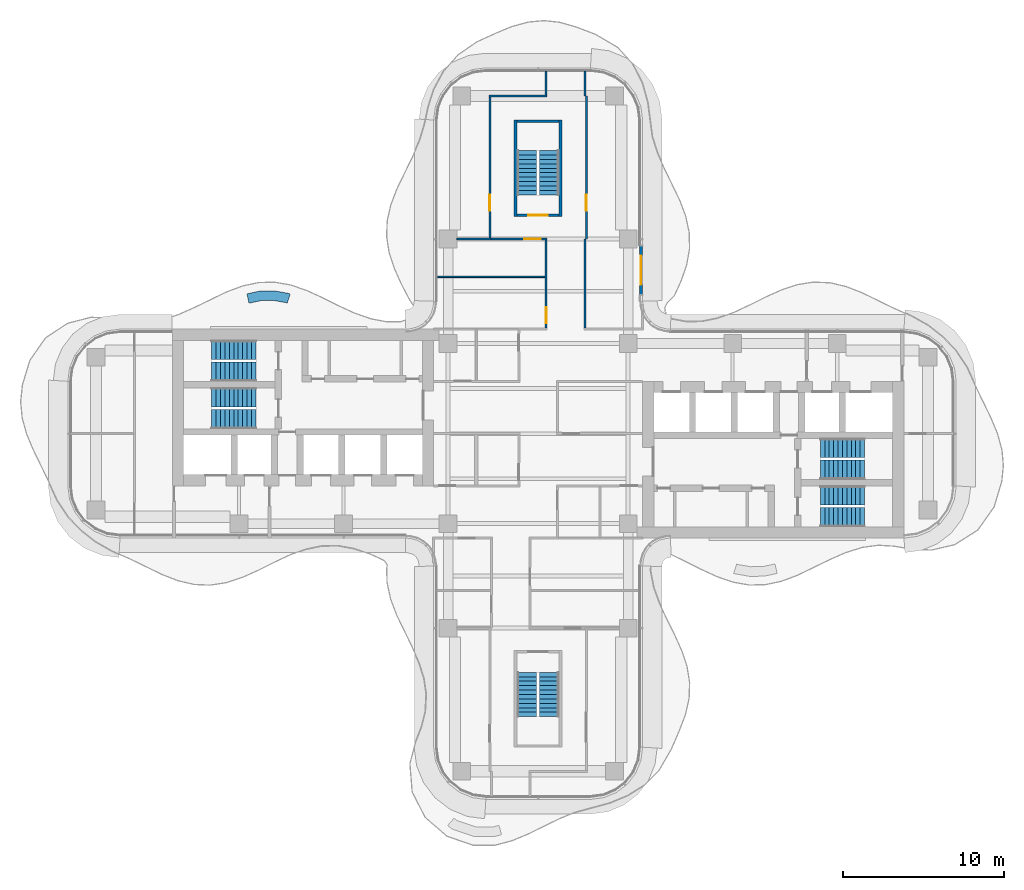
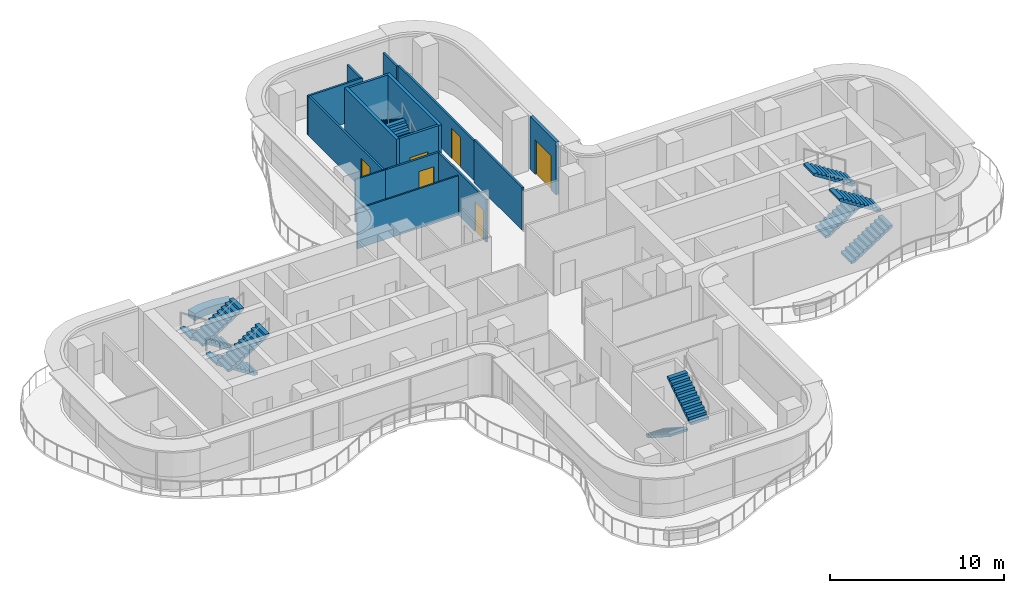
# One storey, part 14 of 16: 16 walls, 12 stair flights, 6 doors, 6 openings, 6 elements without a shape of their own.
"""IFC4 building model written with IfcOpenShell, lengths in metres."""

from ifc_helpers import new_model, si_unit, direction, frame, frame_2d, origin, place, context, subcontext, project, spatial, polyline, rectangle, outline, extrude, source, transform, mapped, material, layer, layer_set, type_object, element, fill, aggregate, save


model = new_model("IFC4")

# Units and contexts
model_context = context("Model", 3, precision=1e-05, world=origin(), true_north=direction((0.0, 1.0)))
body_context = subcontext(model_context, "Body", "Model", "MODEL_VIEW")
ifc_project = project(units=[si_unit("LENGTHUNIT", "METRE"), si_unit("AREAUNIT", "SQUARE_METRE"), si_unit("VOLUMEUNIT", "CUBIC_METRE"), si_unit("PLANEANGLEUNIT", "RADIAN"), si_unit("MASSUNIT", "GRAM", prefix="KILO")], contexts=[model_context])

# Site, building, storey
site_placement = place(None, origin())
site = spatial("IfcSite", under=ifc_project, at=site_placement, CompositionType="ELEMENT")
building_placement = place(site_placement, origin())
building = spatial("IfcBuilding", under=site, at=building_placement, Name="Trellis Farm Tower", CompositionType="ELEMENT")
storey_placement = place(building_placement, frame((0.0, 0.0, 255.800048828125)))
storey = spatial("IfcBuildingStorey", under=building, at=storey_placement, Name="L57", CompositionType="ELEMENT", Elevation=255.800048828125)

# Walls
ifc_material_1 = material(Name="Sandstone faced masonry planter", Category="masonry")
ifc_layer_1 = layer(ifc_material_1, 0.60009765625)
ifc_layer_set_1 = layer_set([ifc_layer_1], Name="PLANTER BED 600")
wall_type_1 = type_object("IfcWallType", Name="PLANTER BED 600", PredefinedType="USERDEFINED", material=ifc_layer_set_1)
placement = place(storey_placement, origin())
element("IfcWall", 1, at=placement, inside=storey, type_object=wall_type_1, Name="PLANTER bed", ObjectType="PLANTER", PredefinedType="USERDEFINED", context=body_context, shape_type="SweptSolid", body=[
    extrude(outline(polyline([(-16.429443359375, 8.882080078125), (-15.5322265625, 8.725830078125), (-15.40966796875, 8.683837890625), (-15.60400390625, 8.1162109375), (-15.681884765625, 8.142822265625), (-16.474853515625, 8.28076171875), (-17.250244140625, 8.263916015625), (-17.98291015625, 8.106689453125), (-18.10888671875, 8.693359375), (-17.3203125, 8.862548828125), (-16.429443359375, 8.882080078125)])), origin(), (0.0, 0.0, 1.0), 0.5),
])
ifc_material_2 = material(Name="Concrete C60/75", Category="concrete")
ifc_layer_2 = layer(ifc_material_2, 0.199951171875)
ifc_layer_set_2 = layer_set([ifc_layer_2], Name="CORE STAIR ENCLOSURE WALL 200 CONCRETE C60/75")
wall_type_2 = type_object("IfcWallType", Name="CORE STAIR ENCLOSURE WALL 200 CONCRETE C60/75", PredefinedType="SHEAR", material=ifc_layer_set_2)
shared_shape_1 = source(origin(), body_context, "Body", "SweptSolid", [
    extrude(rectangle(XDim=6.0, YDim=0.199951171875, at=frame_2d((3.0, 0.0))), origin(), (0.0, 0.0, 1.0), 3.699951171875),
])
for number, where, z_axis, x_axis, name in (
    (2, (-1.39990234375, 13.5, 0.0), (0.0, 0.0, 1.0), (0.0, 1.0, 0.0), "Stair enclosure wall"),
    (3, (1.39990234375, 13.5, 0.0), (0.0, 0.0, 1.0), (0.0, 1.0, 0.0), "Stair enclosure wall"),
):
    element("IfcWall", number, at=place(storey_placement, frame(where, z_axis=z_axis, x_axis=x_axis)), inside=storey, type_object=wall_type_2, Name=name, PredefinedType="SHEAR", context=body_context, shape_type="MappedRepresentation", body=[
        mapped(shared_shape_1, transform((0.0, 0.0, 0.0))),
    ])

# Wall, opening, door
ifc_layer_3 = layer(ifc_material_2, 0.14990234375)
ifc_layer_set_3 = layer_set([ifc_layer_3], Name="CORE STAIR ENCLOSURE WALL 150 CONCRETE C60/75")
wall_type_3 = type_object("IfcWallType", Name="CORE STAIR ENCLOSURE WALL 150 CONCRETE C60/75", PredefinedType="SHEAR", material=ifc_layer_set_3)
shared_shape_2 = source(origin(), body_context, "Body", "SweptSolid", [
    extrude(rectangle(XDim=2.60009765625, YDim=0.14990234375, at=frame_2d((1.300048828125, 0.0))), origin(), (0.0, 0.0, 1.0), 3.699951171875),
])
wall_2_placement = place(storey_placement, frame((-1.300048828125, 13.574951171875, 0.0), z_axis=(0.0, 0.0, 1.0), x_axis=(1.0, 0.0, 0.0)))
wall_2 = element("IfcWall", 4, at=wall_2_placement, inside=storey, type_object=wall_type_3, Name="Stair enclosure wall", PredefinedType="SHEAR", context=body_context, shape_type="MappedRepresentation", body=[
    mapped(shared_shape_2, transform((0.0, 0.0, 0.0))),
])
shared_shape_3 = source(origin(), body_context, "Body", "SweptSolid", [
    extrude(rectangle(XDim=1.199951171875, YDim=2.10009765625, at=frame_2d((0.60009765625, 1.050048828125))), frame((0.0, 0.0849609375, 0.0), z_axis=(0.0, -1.0, 0.0), x_axis=(1.0, 0.0, 0.0)), (0.0, 0.0, 1.0), 0.169921875),
])
opening_1_placement = place(wall_2_placement, frame((0.699951171875, 0.0, 0.0)))
opening_1 = element("IfcOpeningElement", 5, at=opening_1_placement, cuts=wall_2, Name="Opening DC173", PredefinedType="OPENING", context=body_context, shape_type="MappedRepresentation", body=[
    mapped(shared_shape_3, transform((0.0, 0.0, 0.0))),
])
ifc_material_3 = material(Name="Steel", Category="steel")
door_type_1 = type_object("IfcDoorType", Name="CORE FIRE DOOR 1200 X 2100", OperationType="NOTDEFINED", PredefinedType="DOOR", material=ifc_material_3)
shared_shape_4 = source(origin(), body_context, "Body", "SweptSolid", [
    extrude(rectangle(XDim=1.199951171875, YDim=2.10009765625, at=frame_2d((0.60009765625, 1.050048828125))), frame((0.0, 0.02490234375, 0.0), z_axis=(0.0, -1.0, 0.0), x_axis=(1.0, 0.0, 0.0)), (0.0, 0.0, 1.0), 0.050048828125),
])
door_1_placement = place(opening_1_placement, origin())
door_1 = element("IfcDoor", 6, at=door_1_placement, inside=storey, type_object=door_type_1, Name="Core door", OperationType="SINGLE_SWING_LEFT", OverallHeight=2.10009765625, OverallWidth=1.199951171875, PredefinedType="DOOR", context=body_context, shape_type="MappedRepresentation", body=[
    mapped(shared_shape_4, transform((0.0, 0.0, 0.0))),
])
fill(opening_1, door_1)

# Wall
wall_3_placement = place(storey_placement, frame((-1.300048828125, 19.425048828125, 0.0), z_axis=(0.0, 0.0, 1.0), x_axis=(1.0, 0.0, 0.0)))
element("IfcWall", 7, at=wall_3_placement, inside=storey, type_object=wall_type_3, Name="Stair enclosure wall", PredefinedType="SHEAR", context=body_context, shape_type="MappedRepresentation", body=[
    mapped(shared_shape_2, transform((0.0, 0.0, 0.0))),
])

# Wall, opening, door
ifc_material_4 = material(Name="Sandstone faced insulated wall", Category="masonry")
ifc_layer_4 = layer(ifc_material_4, 0.199951171875)
ifc_layer_set_4 = layer_set([ifc_layer_4], Name="EXTERNAL INFILL WALL 200")
wall_type_4 = type_object("IfcWallType", Name="EXTERNAL INFILL WALL 200", PredefinedType="SOLIDWALL", material=ifc_layer_set_4)
shared_shape_5 = source(origin(), body_context, "Body", "SweptSolid", [
    extrude(rectangle(XDim=3.0, YDim=0.199951171875, at=frame_2d((1.5, 0.0))), origin(), (0.0, 0.0, 1.0), 3.699951171875),
])
wall_4_placement = place(storey_placement, frame((6.39990234375, 8.665771484375, 0.0), z_axis=(0.0, 0.0, 1.0), x_axis=(0.0, 1.0, 0.0)))
wall_4 = element("IfcWall", 8, at=wall_4_placement, inside=storey, type_object=wall_type_4, Name="EW1 01", PredefinedType="SOLIDWALL", context=body_context, shape_type="MappedRepresentation", body=[
    mapped(shared_shape_5, transform((0.0, 0.0, 0.0))),
])
shared_shape_6 = source(origin(), body_context, "Body", "SweptSolid", [
    extrude(rectangle(XDim=1.800048828125, YDim=2.39990234375, at=frame_2d((0.89990234375, 1.199951171875))), frame((0.0, 0.110107421875, 0.0), z_axis=(0.0, -1.0, 0.0), x_axis=(1.0, 0.0, 0.0)), (0.0, 0.0, 1.0), 0.22021484375),
])
opening_2_placement = place(wall_4_placement, frame((0.60009765625, 0.0, 0.0)))
opening_2 = element("IfcOpeningElement", 9, at=opening_2_placement, cuts=wall_4, Name="Opening ED1", PredefinedType="OPENING", context=body_context, shape_type="MappedRepresentation", body=[
    mapped(shared_shape_6, transform((0.0, 0.0, 0.0))),
])
ifc_material_5 = material(Name="Aluminium framed glazed door", Category="aluminium")
door_type_2 = type_object("IfcDoorType", Name="BALCONY DOOR 1800x2400", OperationType="DOUBLE_DOOR_SINGLE_SWING", PredefinedType="DOOR", material=ifc_material_5)
shared_shape_7 = source(origin(), body_context, "Body", "SweptSolid", [
    extrude(rectangle(XDim=1.800048828125, YDim=2.39990234375, at=frame_2d((0.89990234375, 1.199951171875))), frame((0.0, 0.02490234375, 0.0), z_axis=(0.0, -1.0, 0.0), x_axis=(1.0, 0.0, 0.0)), (0.0, 0.0, 1.0), 0.050048828125),
])
door_2_placement = place(opening_2_placement, origin())
door_2 = element("IfcDoor", 10, at=door_2_placement, inside=storey, type_object=door_type_2, Name="Balcony door", OperationType="DOUBLE_DOOR_SINGLE_SWING", OverallHeight=2.39990234375, OverallWidth=1.800048828125, PredefinedType="DOOR", context=body_context, shape_type="MappedRepresentation", body=[
    mapped(shared_shape_7, transform((0.0, 0.0, 0.0))),
])
fill(opening_2, door_2)

ifc_material_6 = material(Name="Plasterboard on steel studs, mineral wool", Category="steel")
ifc_layer_5 = layer(ifc_material_6, 0.125)
ifc_layer_set_5 = layer_set([ifc_layer_5], Name="PARTITION 125 STUD EI 60")
wall_type_5 = type_object("IfcWallType", Name="PARTITION 125 STUD EI 60", PredefinedType="PARTITIONING", material=ifc_layer_set_5)
shared_shape_8 = source(origin(), body_context, "Body", "SweptSolid", [
    extrude(rectangle(XDim=5.47509765625, YDim=0.125, at=frame_2d((2.737548828125, 0.0))), origin(), (0.0, 0.0, 1.0), 2.99658203125),
])
wall_5_placement = place(storey_placement, frame((0.5, 12.03759765625, 0.0), z_axis=(0.0, 0.0, 1.0), x_axis=(0.0, -1.0, 0.0)))
wall_5 = element("IfcWall", 11, at=wall_5_placement, inside=storey, type_object=wall_type_5, Name="Partition PW1", PredefinedType="PARTITIONING", context=body_context, shape_type="MappedRepresentation", body=[
    mapped(shared_shape_8, transform((0.0, 0.0, 0.0))),
])
shared_shape_9 = source(origin(), body_context, "Body", "SweptSolid", [
    extrude(rectangle(XDim=1.0, YDim=2.10009765625, at=frame_2d((0.5, 1.050048828125))), frame((0.0, 0.072509765625, 0.0), z_axis=(0.0, -1.0, 0.0), x_axis=(1.0, 0.0, 0.0)), (0.0, 0.0, 1.0), 0.14501953125),
])
opening_3_placement = place(wall_5_placement, frame((4.1875, 0.0, 0.0)))
opening_3 = element("IfcOpeningElement", 12, at=opening_3_placement, cuts=wall_5, Name="Opening D113", PredefinedType="OPENING", context=body_context, shape_type="MappedRepresentation", body=[
    mapped(shared_shape_9, transform((0.0, 0.0, 0.0))),
])
ifc_material_7 = material(Name="Fire-rated timber door leaf in a hollow metal frame", Category="wood")
door_type_3 = type_object("IfcDoorType", Name="DOOR 1000x2100 FD30S", OperationType="NOTDEFINED", PredefinedType="DOOR", material=ifc_material_7)
shared_shape_10 = source(origin(), body_context, "Body", "SweptSolid", [
    extrude(rectangle(XDim=1.0, YDim=2.10009765625, at=frame_2d((0.5, 1.050048828125))), frame((0.0, 0.02490234375, 0.0), z_axis=(0.0, -1.0, 0.0), x_axis=(1.0, 0.0, 0.0)), (0.0, 0.0, 1.0), 0.050048828125),
])
door_3_placement = place(opening_3_placement, origin())
door_3 = element("IfcDoor", 13, at=door_3_placement, inside=storey, type_object=door_type_3, Name="Door D113", OperationType="SINGLE_SWING_RIGHT", OverallHeight=2.10009765625, OverallWidth=1.0, PredefinedType="DOOR", context=body_context, shape_type="MappedRepresentation", body=[
    mapped(shared_shape_10, transform((0.0, 0.0, 0.0))),
])
fill(opening_3, door_3)

# Wall
shared_shape_11 = source(origin(), body_context, "Body", "SweptSolid", [
    extrude(rectangle(XDim=5.53759765625, YDim=0.125, at=frame_2d((2.768798828125, 0.0))), origin(), (0.0, 0.0, 1.0), 2.99658203125),
])
wall_6_placement = place(storey_placement, frame((2.89990234375, 12.10009765625, 0.0), z_axis=(0.0, 0.0, 1.0), x_axis=(0.0, -1.0, 0.0)))
element("IfcWall", 14, at=wall_6_placement, inside=storey, type_object=wall_type_5, Name="Partition PW1", PredefinedType="PARTITIONING", context=body_context, shape_type="MappedRepresentation", body=[
    mapped(shared_shape_11, transform((0.0, 0.0, 0.0))),
])

# Wall, opening, door
shared_shape_12 = source(origin(), body_context, "Body", "SweptSolid", [
    extrude(rectangle(XDim=3.625, YDim=0.125, at=frame_2d((1.8125, 0.0))), origin(), (0.0, 0.0, 1.0), 2.99658203125),
])
wall_7_placement = place(storey_placement, frame((0.5625, 12.10009765625, 0.0), z_axis=(0.0, 0.0, 1.0), x_axis=(-1.0, 0.0, 0.0)))
wall_7 = element("IfcWall", 15, at=wall_7_placement, inside=storey, type_object=wall_type_5, Name="Partition PW1", PredefinedType="PARTITIONING", context=body_context, shape_type="MappedRepresentation", body=[
    mapped(shared_shape_12, transform((0.0, 0.0, 0.0))),
])
opening_4_placement = place(wall_7_placement, frame((0.41259765625, 0.0, 0.0)))
opening_4 = element("IfcOpeningElement", 16, at=opening_4_placement, cuts=wall_7, Name="Opening D114", PredefinedType="OPENING", context=body_context, shape_type="MappedRepresentation", body=[
    mapped(shared_shape_9, transform((0.0, 0.0, 0.0))),
])
door_4_placement = place(opening_4_placement, origin())
door_4 = element("IfcDoor", 17, at=door_4_placement, inside=storey, type_object=door_type_3, Name="Door D114", OperationType="SINGLE_SWING_LEFT", OverallHeight=2.10009765625, OverallWidth=1.0, PredefinedType="DOOR", context=body_context, shape_type="MappedRepresentation", body=[
    mapped(shared_shape_10, transform((0.0, 0.0, 0.0))),
])
fill(opening_4, door_4)

# Walls
shared_shape_13 = source(origin(), body_context, "Body", "SweptSolid", [
    extrude(rectangle(XDim=1.487548828125, YDim=0.125, at=frame_2d((0.74365234375, 0.0))), origin(), (0.0, 0.0, 1.0), 2.780029296875),
])
wall_8_placement = place(storey_placement, frame((0.5, 22.550048828125, 0.0), z_axis=(0.0, 0.0, 1.0), x_axis=(0.0, -1.0, 0.0)))
element("IfcWall", 18, at=wall_8_placement, inside=storey, type_object=wall_type_5, Name="Partition PW1", PredefinedType="PARTITIONING", context=body_context, shape_type="MappedRepresentation", body=[
    mapped(shared_shape_13, transform((0.0, 0.0, 0.0))),
])
shared_shape_14 = source(origin(), body_context, "Body", "SweptSolid", [
    extrude(rectangle(XDim=1.550048828125, YDim=0.125, at=frame_2d((0.77490234375, 0.0))), origin(), (0.0, 0.0, 1.0), 2.780029296875),
])
wall_9_placement = place(storey_placement, frame((2.89990234375, 22.550048828125, 0.0), z_axis=(0.0, 0.0, 1.0), x_axis=(0.0, -1.0, 0.0)))
element("IfcWall", 19, at=wall_9_placement, inside=storey, type_object=wall_type_5, Name="Partition PW1", PredefinedType="PARTITIONING", context=body_context, shape_type="MappedRepresentation", body=[
    mapped(shared_shape_14, transform((0.0, 0.0, 0.0))),
])

# Wall, opening, door
shared_shape_15 = source(origin(), body_context, "Body", "SweptSolid", [
    extrude(rectangle(XDim=8.89990234375, YDim=0.125, at=frame_2d((4.449951171875, 0.0))), origin(), (0.0, 0.0, 1.0), 2.780029296875),
])
wall_10_placement = place(storey_placement, frame((3.0, 21.0, 0.0), z_axis=(0.0, 0.0, 1.0), x_axis=(0.0, -1.0, 0.0)))
wall_10 = element("IfcWall", 20, at=wall_10_placement, inside=storey, type_object=wall_type_5, Name="Partition PW1", PredefinedType="PARTITIONING", context=body_context, shape_type="MappedRepresentation", body=[
    mapped(shared_shape_15, transform((0.0, 0.0, 0.0))),
])
opening_5_placement = place(wall_10_placement, frame((6.14990234375, 0.0, 0.0)))
opening_5 = element("IfcOpeningElement", 21, at=opening_5_placement, cuts=wall_10, Name="Opening D116", PredefinedType="OPENING", context=body_context, shape_type="MappedRepresentation", body=[
    mapped(shared_shape_9, transform((0.0, 0.0, 0.0))),
])
door_5_placement = place(opening_5_placement, origin())
door_5 = element("IfcDoor", 22, at=door_5_placement, inside=storey, type_object=door_type_3, Name="Door D116", OperationType="SINGLE_SWING_RIGHT", OverallHeight=2.10009765625, OverallWidth=1.0, PredefinedType="DOOR", context=body_context, shape_type="MappedRepresentation", body=[
    mapped(shared_shape_10, transform((0.0, 0.0, 0.0))),
])
fill(opening_5, door_5)

# Walls
ifc_material_8 = material(Name="Plasterboard on steel studs", Category="steel")
ifc_layer_6 = layer(ifc_material_8, 0.10009765625)
ifc_layer_set_6 = layer_set([ifc_layer_6], Name="PARTITION 100 STUD EI 30")
wall_type_6 = type_object("IfcWallType", Name="PARTITION 100 STUD EI 30", PredefinedType="PARTITIONING", material=ifc_layer_set_6)
shared_shape_16 = source(origin(), body_context, "Body", "SweptSolid", [
    extrude(rectangle(XDim=6.737548828125, YDim=0.10009765625, at=frame_2d((3.36865234375, 0.0))), origin(), (0.0, 0.0, 1.0), 2.780029296875),
])
wall_11_placement = place(storey_placement, frame((-6.300048828125, 9.75, 0.0), z_axis=(0.0, 0.0, 1.0), x_axis=(1.0, 0.0, 0.0)))
element("IfcWall", 23, at=wall_11_placement, inside=storey, type_object=wall_type_6, Name="Partition PW2", PredefinedType="PARTITIONING", context=body_context, shape_type="MappedRepresentation", body=[
    mapped(shared_shape_16, transform((0.0, 0.0, 0.0))),
])
shared_shape_17 = source(origin(), body_context, "Body", "SweptSolid", [
    extrude(rectangle(XDim=3.625, YDim=0.125, at=frame_2d((1.8125, 0.0))), origin(), (0.0, 0.0, 1.0), 2.780029296875),
])
wall_12_placement = place(storey_placement, frame((-3.0625, 21.0, 0.0), z_axis=(0.0, 0.0, 1.0), x_axis=(1.0, 0.0, 0.0)))
element("IfcWall", 24, at=wall_12_placement, inside=storey, type_object=wall_type_5, Name="Partition PW1", PredefinedType="PARTITIONING", context=body_context, shape_type="MappedRepresentation", body=[
    mapped(shared_shape_17, transform((0.0, 0.0, 0.0))),
])

# Wall, opening, door
shared_shape_18 = source(origin(), body_context, "Body", "SweptSolid", [
    extrude(rectangle(XDim=8.78759765625, YDim=0.125, at=frame_2d((4.393798828125, 0.0))), origin(), (0.0, 0.0, 1.0), 2.780029296875),
])
wall_13_placement = place(storey_placement, frame((-3.0, 12.14990234375, 0.0), z_axis=(0.0, 0.0, 1.0), x_axis=(0.0, 1.0, 0.0)))
wall_13 = element("IfcWall", 25, at=wall_13_placement, inside=storey, type_object=wall_type_5, Name="Partition PW1", PredefinedType="PARTITIONING", context=body_context, shape_type="MappedRepresentation", body=[
    mapped(shared_shape_18, transform((0.0, 0.0, 0.0))),
])
opening_6_placement = place(wall_13_placement, frame((1.699951171875, 0.0, 0.0)))
opening_6 = element("IfcOpeningElement", 26, at=opening_6_placement, cuts=wall_13, Name="Opening D115", PredefinedType="OPENING", context=body_context, shape_type="MappedRepresentation", body=[
    mapped(shared_shape_9, transform((0.0, 0.0, 0.0))),
])
door_6_placement = place(opening_6_placement, origin())
door_6 = element("IfcDoor", 27, at=door_6_placement, inside=storey, type_object=door_type_3, Name="Door D115", OperationType="SINGLE_SWING_LEFT", OverallHeight=2.10009765625, OverallWidth=1.0, PredefinedType="DOOR", context=body_context, shape_type="MappedRepresentation", body=[
    mapped(shared_shape_10, transform((0.0, 0.0, 0.0))),
])
fill(opening_6, door_6)

# Wall
shared_shape_19 = source(origin(), body_context, "Body", "SweptSolid", [
    extrude(rectangle(XDim=2.112548828125, YDim=0.10009765625, at=frame_2d((1.05615234375, 0.0))), origin(), (0.0, 0.0, 1.0), 2.99658203125),
])
wall_14_placement = place(storey_placement, frame((-5.050048828125, 12.10009765625, 0.0), z_axis=(0.0, 0.0, 1.0), x_axis=(1.0, 0.0, 0.0)))
element("IfcWall", 28, at=wall_14_placement, inside=storey, type_object=wall_type_6, Name="Partition PW2", PredefinedType="PARTITIONING", context=body_context, shape_type="MappedRepresentation", body=[
    mapped(shared_shape_19, transform((0.0, 0.0, 0.0))),
])

# Stair, stair flights
ifc_material_9 = material(Name="Concrete C50/60", Category="concrete")
stair_type = type_object("IfcStairType", Name="CORE EXIT STAIR 22 RISERS 177 MM", PredefinedType="HALF_TURN_STAIR", material=ifc_material_9)
stair_1 = element("IfcStair", 29, at=placement, inside=storey, type_object=stair_type, Name="Exit stair N", PredefinedType="HALF_TURN_STAIR")
stair_flight_type = type_object("IfcStairFlightType", Name="STAIR FLIGHT 11 RISERS 177 MM", PredefinedType="STRAIGHT", material=ifc_material_9)
shared_shape_20 = source(origin(), body_context, "Body", "SweptSolid", [
    extrude(outline(polyline([(0.0, 0.0), (0.0, 0.17724609375), (0.27490234375, 0.17724609375), (0.27490234375, 0.3544921875), (0.550048828125, 0.3544921875), (0.550048828125, 0.53173828125), (0.824951171875, 0.53173828125), (0.824951171875, 0.708984375), (1.10009765625, 0.708984375), (1.10009765625, 0.886474609375), (1.375, 0.886474609375), (1.375, 1.063720703125), (1.64990234375, 1.063720703125), (1.64990234375, 1.240966796875), (1.925048828125, 1.240966796875), (1.925048828125, 1.418212890625), (2.199951171875, 1.418212890625), (2.199951171875, 1.595458984375), (2.47509765625, 1.595458984375), (2.47509765625, 1.772705078125), (2.75, 1.772705078125), (2.75, 1.949951171875), (2.75, 1.6181640625), (0.23974609375, 0.0), (0.0, 0.0)])), frame((0.0, 0.60009765625, 0.0), z_axis=(0.0, -1.0, 0.0), x_axis=(1.0, 0.0, 0.0)), (0.0, 0.0, 1.0), 1.199951171875),
])
stair_flight_1_placement = place(storey_placement, frame((0.699951171875, 14.85009765625, 0.0), z_axis=(0.0, 0.0, 1.0), x_axis=(0.0, 1.0, 0.0)))
stair_flight_1 = element("IfcStairFlight", 30, at=stair_flight_1_placement, type_object=stair_flight_type, Name="STN flight 1", NumberOfRisers=11, NumberOfTreads=10, PredefinedType="STRAIGHT", RiserHeight=0.177272727, TreadLength=0.275, context=body_context, shape_type="MappedRepresentation", body=[
    mapped(shared_shape_20, transform((0.0, 0.0, 0.0))),
])
stair_flight_2_placement = place(storey_placement, frame((-0.699951171875, 17.60009765625, 1.949951171875), z_axis=(0.0, 0.0, 1.0), x_axis=(0.0, -1.0, 0.0)))
stair_flight_2 = element("IfcStairFlight", 31, at=stair_flight_2_placement, type_object=stair_flight_type, Name="STN flight 2", NumberOfRisers=11, NumberOfTreads=10, PredefinedType="STRAIGHT", RiserHeight=0.177272727, TreadLength=0.275, context=body_context, shape_type="MappedRepresentation", body=[
    mapped(shared_shape_20, transform((0.0, 0.0, 0.0))),
])
aggregate(stair_1, [stair_flight_1, stair_flight_2])

stair_2 = element("IfcStair", 32, at=placement, inside=storey, type_object=stair_type, Name="Exit stair S", PredefinedType="HALF_TURN_STAIR")
stair_flight_3_placement = place(storey_placement, frame((-0.699951171875, -14.85009765625, 0.0), z_axis=(0.0, 0.0, 1.0), x_axis=(0.0, -1.0, 0.0)))
stair_flight_3 = element("IfcStairFlight", 33, at=stair_flight_3_placement, type_object=stair_flight_type, Name="STS flight 1", NumberOfRisers=11, NumberOfTreads=10, PredefinedType="STRAIGHT", RiserHeight=0.177272727, TreadLength=0.275, context=body_context, shape_type="MappedRepresentation", body=[
    mapped(shared_shape_20, transform((0.0, 0.0, 0.0))),
])
stair_flight_4_placement = place(storey_placement, frame((0.699951171875, -17.60009765625, 1.949951171875), z_axis=(0.0, 0.0, 1.0), x_axis=(0.0, 1.0, 0.0)))
stair_flight_4 = element("IfcStairFlight", 34, at=stair_flight_4_placement, type_object=stair_flight_type, Name="STS flight 2", NumberOfRisers=11, NumberOfTreads=10, PredefinedType="STRAIGHT", RiserHeight=0.177272727, TreadLength=0.275, context=body_context, shape_type="MappedRepresentation", body=[
    mapped(shared_shape_20, transform((0.0, 0.0, 0.0))),
])
aggregate(stair_2, [stair_flight_3, stair_flight_4])

stair_3 = element("IfcStair", 35, at=placement, inside=storey, type_object=stair_type, Name="Exit stair E1", PredefinedType="HALF_TURN_STAIR")
stair_flight_5_placement = place(storey_placement, frame((17.550048828125, -5.199951171875, 0.0), z_axis=(0.0, 0.0, 1.0), x_axis=(1.0, 0.0, 0.0)))
stair_flight_5 = element("IfcStairFlight", 36, at=stair_flight_5_placement, type_object=stair_flight_type, Name="STE1 flight 1", NumberOfRisers=11, NumberOfTreads=10, PredefinedType="STRAIGHT", RiserHeight=0.177272727, TreadLength=0.275, context=body_context, shape_type="MappedRepresentation", body=[
    mapped(shared_shape_20, transform((0.0, 0.0, 0.0))),
])
stair_flight_6_placement = place(storey_placement, frame((20.300048828125, -3.85009765625, 1.949951171875), z_axis=(0.0, 0.0, 1.0), x_axis=(-1.0, 0.0, 0.0)))
stair_flight_6 = element("IfcStairFlight", 37, at=stair_flight_6_placement, type_object=stair_flight_type, Name="STE1 flight 2", NumberOfRisers=11, NumberOfTreads=10, PredefinedType="STRAIGHT", RiserHeight=0.177272727, TreadLength=0.275, context=body_context, shape_type="MappedRepresentation", body=[
    mapped(shared_shape_20, transform((0.0, 0.0, 0.0))),
])
aggregate(stair_3, [stair_flight_5, stair_flight_6])

stair_4 = element("IfcStair", 38, at=placement, inside=storey, type_object=stair_type, Name="Exit stair E2", PredefinedType="HALF_TURN_STAIR")
stair_flight_7_placement = place(storey_placement, frame((17.550048828125, -2.25, 0.0), z_axis=(0.0, 0.0, 1.0), x_axis=(1.0, 0.0, 0.0)))
stair_flight_7 = element("IfcStairFlight", 39, at=stair_flight_7_placement, type_object=stair_flight_type, Name="STE2 flight 1", NumberOfRisers=11, NumberOfTreads=10, PredefinedType="STRAIGHT", RiserHeight=0.177272727, TreadLength=0.275, context=body_context, shape_type="MappedRepresentation", body=[
    mapped(shared_shape_20, transform((0.0, 0.0, 0.0))),
])
stair_flight_8_placement = place(storey_placement, frame((20.300048828125, -0.89990234375, 1.949951171875), z_axis=(0.0, 0.0, 1.0), x_axis=(-1.0, 0.0, 0.0)))
stair_flight_8 = element("IfcStairFlight", 40, at=stair_flight_8_placement, type_object=stair_flight_type, Name="STE2 flight 2", NumberOfRisers=11, NumberOfTreads=10, PredefinedType="STRAIGHT", RiserHeight=0.177272727, TreadLength=0.275, context=body_context, shape_type="MappedRepresentation", body=[
    mapped(shared_shape_20, transform((0.0, 0.0, 0.0))),
])
aggregate(stair_4, [stair_flight_7, stair_flight_8])

stair_5 = element("IfcStair", 41, at=placement, inside=storey, type_object=stair_type, Name="Exit stair W1", PredefinedType="HALF_TURN_STAIR")
stair_flight_9_placement = place(storey_placement, frame((-17.550048828125, 5.199951171875, 0.0), z_axis=(0.0, 0.0, 1.0), x_axis=(-1.0, 0.0, 0.0)))
stair_flight_9 = element("IfcStairFlight", 42, at=stair_flight_9_placement, type_object=stair_flight_type, Name="STW1 flight 1", NumberOfRisers=11, NumberOfTreads=10, PredefinedType="STRAIGHT", RiserHeight=0.177272727, TreadLength=0.275, context=body_context, shape_type="MappedRepresentation", body=[
    mapped(shared_shape_20, transform((0.0, 0.0, 0.0))),
])
stair_flight_10_placement = place(storey_placement, frame((-20.300048828125, 3.85009765625, 1.949951171875), z_axis=(0.0, 0.0, 1.0), x_axis=(1.0, 0.0, 0.0)))
stair_flight_10 = element("IfcStairFlight", 43, at=stair_flight_10_placement, type_object=stair_flight_type, Name="STW1 flight 2", NumberOfRisers=11, NumberOfTreads=10, PredefinedType="STRAIGHT", RiserHeight=0.177272727, TreadLength=0.275, context=body_context, shape_type="MappedRepresentation", body=[
    mapped(shared_shape_20, transform((0.0, 0.0, 0.0))),
])
aggregate(stair_5, [stair_flight_9, stair_flight_10])

stair_6 = element("IfcStair", 44, at=placement, inside=storey, type_object=stair_type, Name="Exit stair W2", PredefinedType="HALF_TURN_STAIR")
stair_flight_11_placement = place(storey_placement, frame((-17.550048828125, 2.25, 0.0), z_axis=(0.0, 0.0, 1.0), x_axis=(-1.0, 0.0, 0.0)))
stair_flight_11 = element("IfcStairFlight", 45, at=stair_flight_11_placement, type_object=stair_flight_type, Name="STW2 flight 1", NumberOfRisers=11, NumberOfTreads=10, PredefinedType="STRAIGHT", RiserHeight=0.177272727, TreadLength=0.275, context=body_context, shape_type="MappedRepresentation", body=[
    mapped(shared_shape_20, transform((0.0, 0.0, 0.0))),
])
stair_flight_12_placement = place(storey_placement, frame((-20.300048828125, 0.89990234375, 1.949951171875), z_axis=(0.0, 0.0, 1.0), x_axis=(1.0, 0.0, 0.0)))
stair_flight_12 = element("IfcStairFlight", 46, at=stair_flight_12_placement, type_object=stair_flight_type, Name="STW2 flight 2", NumberOfRisers=11, NumberOfTreads=10, PredefinedType="STRAIGHT", RiserHeight=0.177272727, TreadLength=0.275, context=body_context, shape_type="MappedRepresentation", body=[
    mapped(shared_shape_20, transform((0.0, 0.0, 0.0))),
])
aggregate(stair_6, [stair_flight_11, stair_flight_12])

save(model, "model.ifc")
